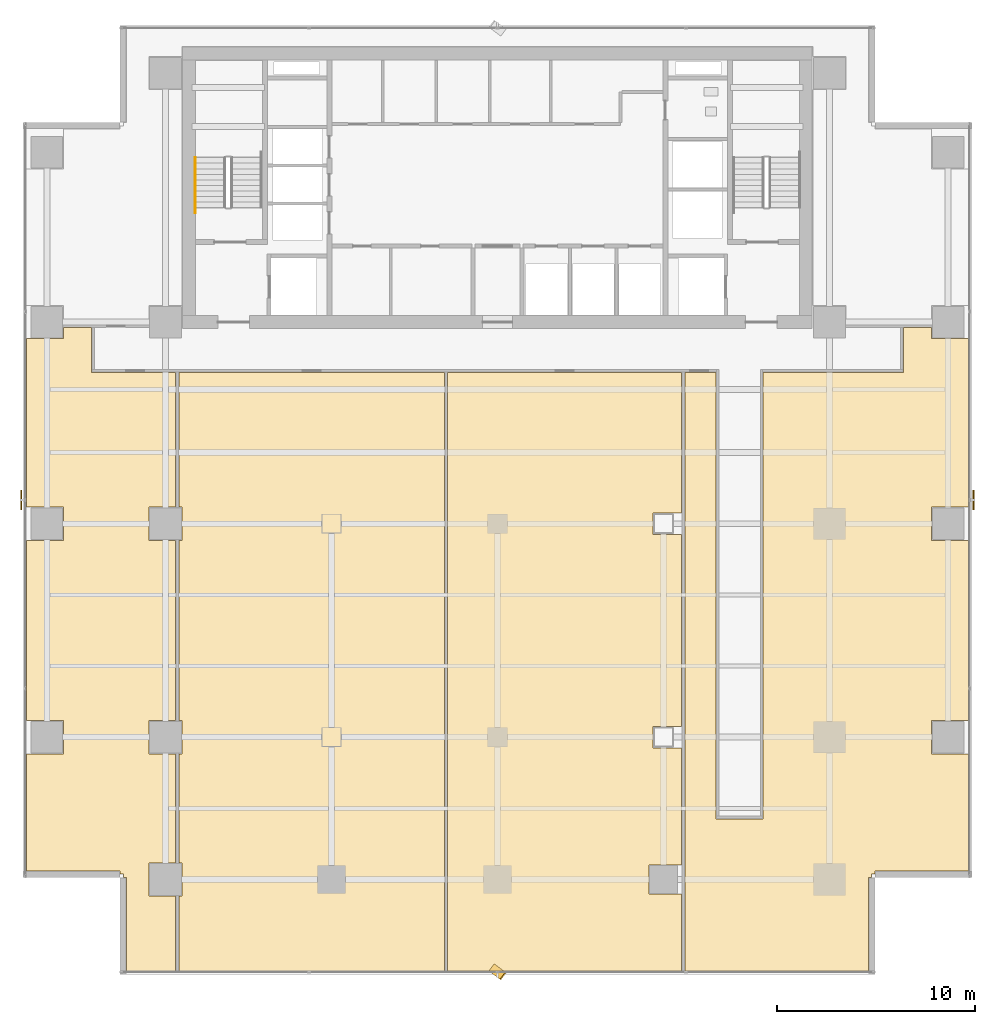
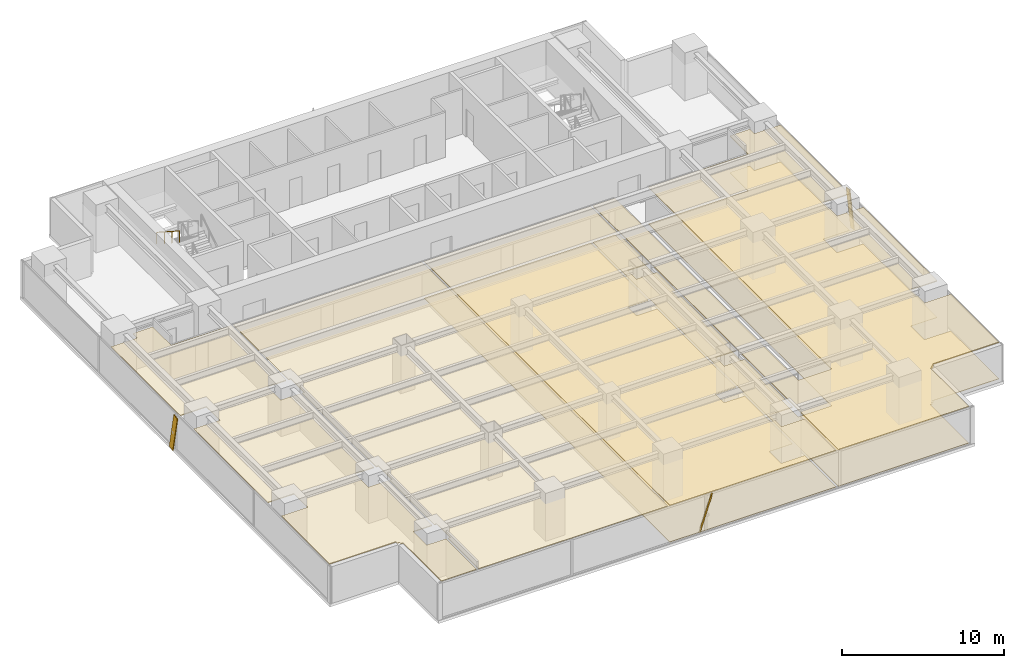
# One storey, part 23 of 27: 6 coverings, 3 shading devices, 1 railing.
"""IFC4 building model written with IfcOpenShell, lengths in metres."""

from ifc_helpers import new_model, si_unit, direction, frame, origin, origin_2d, place, context, subcontext, project, spatial, polyline, rectangle, outline, extrude, source, transform, mapped, material, layer, layer_set, material_profile, profile_set, type_object, element, save


model = new_model("IFC4")

# Units and contexts
model_context = context("Model", 3, precision=1e-05, world=origin(), true_north=direction((0.0, 1.0)))
body_context = subcontext(model_context, "Body", "Model", "MODEL_VIEW")
ifc_project = project(units=[si_unit("LENGTHUNIT", "METRE"), si_unit("AREAUNIT", "SQUARE_METRE"), si_unit("VOLUMEUNIT", "CUBIC_METRE"), si_unit("PLANEANGLEUNIT", "RADIAN"), si_unit("MASSUNIT", "GRAM", prefix="KILO")], contexts=[model_context])

# Site, building, storey
site_placement = place(None, origin())
site = spatial("IfcSite", under=ifc_project, at=site_placement, CompositionType="ELEMENT")
building_placement = place(site_placement, origin())
building = spatial("IfcBuilding", under=site, at=building_placement, Name="Sumidabori Civic Tower", CompositionType="ELEMENT")
storey_placement = place(building_placement, frame((0.0, 0.0, 135.199951171875)))
storey = spatial("IfcBuildingStorey", under=building, at=storey_placement, Name="L34", CompositionType="ELEMENT", Elevation=135.199951171875)

# Coverings
ifc_material_1 = material(Name="Gypsum Coffered Acoustic Ceiling")
ifc_layer_1 = layer(ifc_material_1, 0.06494140625, Name="Gypsum Coffered Acoustic Ceiling")
ifc_layer_set_1 = layer_set([ifc_layer_1], Name="Gypsum Coffered Acoustic Ceiling")
covering_type_1 = type_object("IfcCoveringType", Name="CV-CEIL-AC4", PredefinedType="CEILING", material=ifc_layer_set_1)
covering_1_placement = place(storey_placement, frame((0.0, 0.0, 2.72998046875)))
element("IfcCovering", 1, at=covering_1_placement, inside=storey, type_object=covering_type_1, Name="Room Acoustic Ceiling L34-02", PredefinedType="CEILING", context=body_context, shape_type="SweptSolid", body=[
    extrude(outline(polyline([(-21.9599609375, -11.639892578125), (-21.9599609375, -9.9599609375), (-23.830078125, -9.9599609375), (-23.830078125, -0.840087890625), (-21.9599609375, -0.840087890625), (-21.9599609375, 0.840087890625), (-23.830078125, 0.840087890625), (-23.830078125, 9.360107421875), (-21.9599609375, 9.360107421875), (-21.9599609375, 9.919921875), (-20.5400390625, 9.919921875), (-20.5400390625, 7.659912109375), (-16.280029296875, 7.659912109375), (-16.280029296875, 0.840087890625), (-17.639892578125, 0.840087890625), (-17.639892578125, -0.840087890625), (-16.280029296875, -0.840087890625), (-16.280029296875, -9.9599609375), (-17.639892578125, -9.9599609375), (-17.639892578125, -11.639892578125), (-16.280029296875, -11.639892578125), (-16.280029296875, -17.159912109375), (-17.639892578125, -17.159912109375), (-17.639892578125, -18.840087890625), (-16.280029296875, -18.840087890625), (-16.280029296875, -22.6298828125), (-18.77197265625, -22.6298828125), (-18.77197265625, -17.89208984375), (-18.929931640625, -17.89208984375), (-18.929931640625, -17.72998046875), (-19.092041015625, -17.72998046875), (-19.092041015625, -17.572021484375), (-23.830078125, -17.572021484375), (-23.830078125, -11.639892578125), (-21.9599609375, -11.639892578125)])), origin(), (0.0, 0.0, 1.0), 0.065185546875),
])
covering_2_placement = place(storey_placement, frame((0.0, 0.0, 2.72998046875)))
element("IfcCovering", 2, at=covering_2_placement, inside=storey, type_object=covering_type_1, Name="Room Acoustic Ceiling L34-03", PredefinedType="CEILING", context=body_context, shape_type="SweptSolid", body=[
    extrude(outline(polyline([(18.77197265625, -22.6298828125), (9.47998046875, -22.6298828125), (9.47998046875, 7.659912109375), (11.06005859375, 7.659912109375), (11.06005859375, -14.93994140625), (13.43994140625, -14.93994140625), (13.43994140625, 7.659912109375), (20.5400390625, 7.659912109375), (20.5400390625, 9.919921875), (21.9599609375, 9.919921875), (21.9599609375, 9.360107421875), (23.830078125, 9.360107421875), (23.830078125, 0.840087890625), (21.9599609375, 0.840087890625), (21.9599609375, -0.840087890625), (23.830078125, -0.840087890625), (23.830078125, -9.9599609375), (21.9599609375, -9.9599609375), (21.9599609375, -11.639892578125), (23.830078125, -11.639892578125), (23.830078125, -17.572021484375), (19.092041015625, -17.572021484375), (19.092041015625, -17.72998046875), (18.929931640625, -17.72998046875), (18.929931640625, -17.89208984375), (18.77197265625, -17.89208984375), (18.77197265625, -22.6298828125)])), origin(), (0.0, 0.0, 1.0), 0.065185546875),
])
covering_3_placement = place(storey_placement, frame((0.0, 0.0, 2.72998046875)))
element("IfcCovering", 3, at=covering_3_placement, inside=storey, type_object=covering_type_1, Name="Room Acoustic Ceiling L34-04", PredefinedType="CEILING", context=body_context, shape_type="SweptSolid", body=[
    extrude(outline(polyline([(-16.1201171875, -18.840087890625), (-15.9599609375, -18.840087890625), (-15.9599609375, -17.159912109375), (-16.1201171875, -17.159912109375), (-16.1201171875, -11.639892578125), (-15.9599609375, -11.639892578125), (-15.9599609375, -9.9599609375), (-16.1201171875, -9.9599609375), (-16.1201171875, -0.840087890625), (-15.9599609375, -0.840087890625), (-15.9599609375, 0.840087890625), (-16.1201171875, 0.840087890625), (-16.1201171875, 7.659912109375), (-2.679931640625, 7.659912109375), (-2.679931640625, -22.6298828125), (-16.1201171875, -22.6298828125), (-16.1201171875, -18.840087890625)])), origin(), (0.0, 0.0, 1.0), 0.065185546875),
])
covering_4_placement = place(storey_placement, frame((0.0, 0.0, 2.72998046875)))
element("IfcCovering", 4, at=covering_4_placement, inside=storey, type_object=covering_type_1, Name="Room Acoustic Ceiling L34-05", PredefinedType="CEILING", context=body_context, shape_type="SweptSolid", body=[
    extrude(outline(polyline([(-2.52001953125, -22.6298828125), (-2.52001953125, 7.659912109375), (9.320068359375, 7.659912109375), (9.320068359375, 0.5400390625), (7.860107421875, 0.5400390625), (7.860107421875, -0.5400390625), (9.320068359375, -0.5400390625), (9.320068359375, -10.260009765625), (7.860107421875, -10.260009765625), (7.860107421875, -11.340087890625), (9.320068359375, -11.340087890625), (9.320068359375, -17.260009765625), (7.659912109375, -17.260009765625), (7.659912109375, -18.739990234375), (9.320068359375, -18.739990234375), (9.320068359375, -22.6298828125), (-2.52001953125, -22.6298828125)])), origin(), (0.0, 0.0, 1.0), 0.065185546875),
])
ifc_material_2 = material(Name="Honed Terrazzo Tile Flooring")
ifc_layer_2 = layer(ifc_material_2, 0.030029296875, Name="Honed Terrazzo Tile Flooring")
ifc_layer_set_2 = layer_set([ifc_layer_2], Name="Honed Terrazzo Tile Flooring")
covering_type_2 = type_object("IfcCoveringType", Name="CV-FLR-TER", PredefinedType="FLOORING", material=ifc_layer_set_2)
covering_5_placement = place(storey_placement, origin())
element("IfcCovering", 5, at=covering_5_placement, inside=storey, type_object=covering_type_2, Name="Room Terrazzo Floor L34-03", PredefinedType="FLOORING", context=body_context, shape_type="SweptSolid", body=[
    extrude(outline(polyline([(18.77197265625, -22.6298828125), (9.47998046875, -22.6298828125), (9.47998046875, 7.659912109375), (11.06005859375, 7.659912109375), (11.06005859375, -14.93994140625), (13.43994140625, -14.93994140625), (13.43994140625, 7.659912109375), (20.5400390625, 7.659912109375), (20.5400390625, 9.919921875), (21.9599609375, 9.919921875), (21.9599609375, 9.360107421875), (23.830078125, 9.360107421875), (23.830078125, 0.840087890625), (21.9599609375, 0.840087890625), (21.9599609375, -0.840087890625), (23.830078125, -0.840087890625), (23.830078125, -9.9599609375), (21.9599609375, -9.9599609375), (21.9599609375, -11.639892578125), (23.830078125, -11.639892578125), (23.830078125, -17.572021484375), (19.092041015625, -17.572021484375), (19.092041015625, -17.72998046875), (18.929931640625, -17.72998046875), (18.929931640625, -17.89208984375), (18.77197265625, -17.89208984375), (18.77197265625, -22.6298828125)])), origin(), (0.0, 0.0, 1.0), 0.030029296875),
])
covering_6_placement = place(storey_placement, origin())
element("IfcCovering", 6, at=covering_6_placement, inside=storey, type_object=covering_type_2, Name="Room Terrazzo Floor L34-05", PredefinedType="FLOORING", context=body_context, shape_type="SweptSolid", body=[
    extrude(outline(polyline([(-2.52001953125, -22.6298828125), (-2.52001953125, 7.659912109375), (9.320068359375, 7.659912109375), (9.320068359375, 0.5400390625), (7.860107421875, 0.5400390625), (7.860107421875, -0.5400390625), (9.320068359375, -0.5400390625), (9.320068359375, -10.260009765625), (7.860107421875, -10.260009765625), (7.860107421875, -11.340087890625), (9.320068359375, -11.340087890625), (9.320068359375, -17.260009765625), (7.659912109375, -17.260009765625), (7.659912109375, -18.739990234375), (9.320068359375, -18.739990234375), (9.320068359375, -22.6298828125), (-2.52001953125, -22.6298828125)])), origin(), (0.0, 0.0, 1.0), 0.030029296875),
])

# Railing
ifc_material_3 = material(Name="Stainless Steel Hairline Finish", Category="steel")
railing_type = type_object("IfcRailingType", Name="RL-HANDRAIL", PredefinedType="HANDRAIL", material=ifc_material_3)
railing_placement = place(storey_placement, frame((-15.2900390625, 18.52001953125, 1.97998046875)))
element("IfcRailing", 7, at=railing_placement, inside=storey, type_object=railing_type, Name="L34 ST-1 stair handrail 2", PredefinedType="HANDRAIL", context=body_context, shape_type="SweptSolid", body=[
    extrude(rectangle(XDim=0.048095703125, YDim=0.048095703125, at=origin_2d()), frame((0.0, 0.0, 0.8759765625), z_axis=(0.0, -0.84064222762, 0.54159084662), x_axis=(1.0, 0.0, 0.0)), (0.0, 0.0, 1.0), 3.330810546875),
    extrude(rectangle(XDim=0.0419921875, YDim=0.0419921875, at=origin_2d()), origin(), (0.0, 0.0, 1.0), 0.851806640625),
    extrude(rectangle(XDim=0.0419921875, YDim=0.0419921875, at=origin_2d()), frame((0.0, -0.933349609375, 0.601318359375)), (0.0, 0.0, 1.0), 0.851806640625),
    extrude(rectangle(XDim=0.0419921875, YDim=0.0419921875, at=origin_2d()), frame((0.0, -1.86669921875, 1.20263671875)), (0.0, 0.0, 1.0), 0.851806640625),
    extrude(rectangle(XDim=0.0419921875, YDim=0.0419921875, at=origin_2d()), frame((0.0, -2.800048828125, 1.803955078125)), (0.0, 0.0, 1.0), 0.851806640625),
])

# Shading devices
ifc_material_4 = material(Name="Anodised Bronze Aluminium AW-6063-T6", Category="aluminium")
ifc_material_profile = material_profile(ifc_material_4, rectangle(XDim=0.06005859375, YDim=0.449951171875, at=origin_2d()), Name="BRONZE FIN 450x60")
ifc_profile_set = profile_set([ifc_material_profile], Name="Anodised Bronze Aluminium AW-6063-T6")
shading_device_type = type_object("IfcShadingDeviceType", Name="SH-FIN-450", PredefinedType="USERDEFINED", material=ifc_profile_set)
shared_shape_1 = source(origin(), body_context, "Body", "SweptSolid", [
    extrude(rectangle(XDim=0.06005859375, YDim=0.449951171875, at=origin_2d()), origin(), (0.0, 0.0, 1.0), 2.789306640625),
])
shading_device_placement = place(storey_placement, frame((-0.280029296875, -22.469970703125, 0.02001953125), z_axis=(0.200794136335, -0.150551837182, 0.967995794998), x_axis=(0.774477654896, -0.580689436103, -0.250966413819)))
element("IfcShadingDevice", 8, at=shading_device_placement, inside=storey, type_object=shading_device_type, Name="Bronze Anodised Diagonal Fin L34-02", ObjectType="FIN", PredefinedType="USERDEFINED", context=body_context, shape_type="MappedRepresentation", body=[
    mapped(shared_shape_1, transform((0.0, 0.0, 0.0), x_axis=(1.0, 0.0, 0.0), y_axis=(0.0, 1.0, 0.0), z_axis=(0.0, 0.0, 1.0), scale=1.0)),
])
shared_shape_2 = source(origin(), body_context, "Body", "SweptSolid", [
    extrude(rectangle(XDim=0.06005859375, YDim=0.449951171875, at=origin_2d()), origin(), (0.0, 0.0, 1.0), 2.75732421875),
])
for number, where, z_axis, x_axis, name in (
    (9, (24.090087890625, 0.919921875, 0.02001953125), (0.0, 0.203109150817, 0.979156102393), (-1.0, 0.0, 0.0), "Bronze Anodised Diagonal Fin L34-02"),
    (10, (-24.090087890625, 1.47998046875, 0.02001953125), (0.0, -0.203109150817, 0.979156102393), (-1.0, 0.0, 0.0), "Bronze Anodised Diagonal Fin L34-02"),
):
    element("IfcShadingDevice", number, at=place(storey_placement, frame(where, z_axis=z_axis, x_axis=x_axis)), inside=storey, type_object=shading_device_type, Name=name, ObjectType="FIN", PredefinedType="USERDEFINED", context=body_context, shape_type="MappedRepresentation", body=[
        mapped(shared_shape_2, transform((0.0, 0.0, 0.0), x_axis=(1.0, 0.0, 0.0), y_axis=(0.0, 1.0, 0.0), z_axis=(0.0, 0.0, 1.0), scale=1.0)),
    ])

save(model, "model.ifc")
